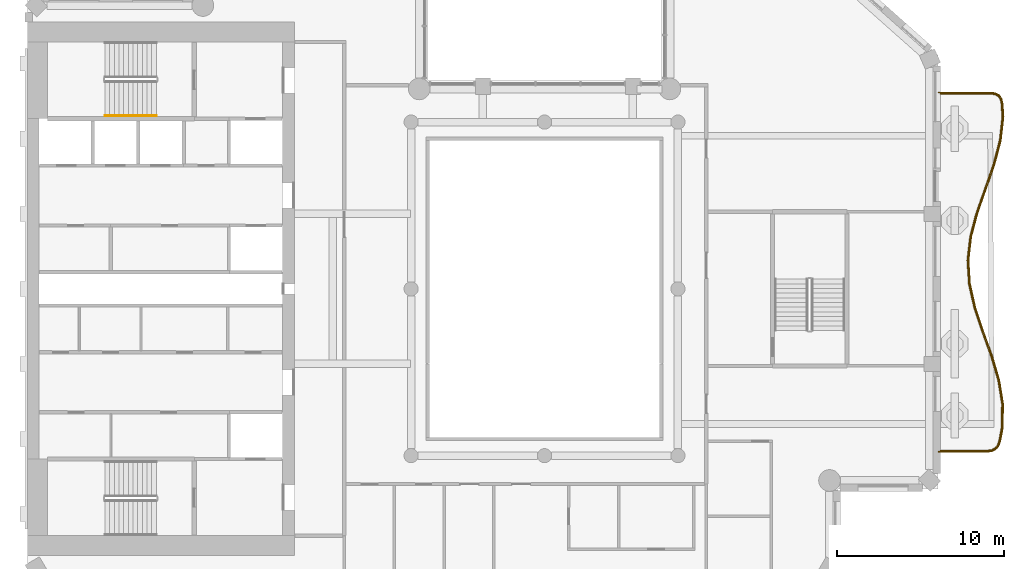
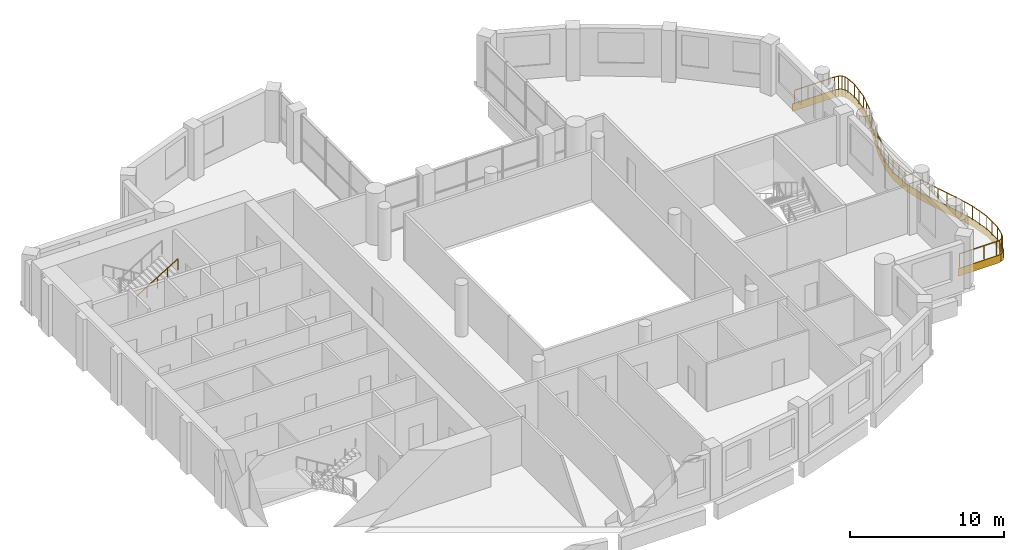
# One storey, part 12 of 14: 2 railings, 1 covering.
"""IFC4 building model written with IfcOpenShell, lengths in metres."""

from ifc_helpers import new_model, si_unit, direction, frame, origin, origin_2d, place, context, subcontext, project, spatial, polyline, rectangle, outline, extrude, material, layer, layer_set, type_object, element, save


model = new_model("IFC4")

# Units and contexts
model_context = context("Model", 3, precision=1e-05, world=origin(), true_north=direction((0.0, 1.0)))
body_context = subcontext(model_context, "Body", "Model", "MODEL_VIEW")
ifc_project = project(units=[si_unit("LENGTHUNIT", "METRE"), si_unit("AREAUNIT", "SQUARE_METRE"), si_unit("VOLUMEUNIT", "CUBIC_METRE"), si_unit("PLANEANGLEUNIT", "RADIAN"), si_unit("MASSUNIT", "GRAM", prefix="KILO")], contexts=[model_context])

# Site, building, storey
site_placement = place(None, origin())
site = spatial("IfcSite", under=ifc_project, at=site_placement, CompositionType="ELEMENT")
building_placement = place(site_placement, origin())
building = spatial("IfcBuilding", under=site, at=building_placement, Name="Cypress Arch Tower", CompositionType="ELEMENT")
storey_placement = place(building_placement, frame((0.0, 0.0, 268.0)))
storey = spatial("IfcBuildingStorey", under=building, at=storey_placement, Name="L60", CompositionType="ELEMENT", Elevation=268.0)

# Covering
ifc_material_1 = material(Name="White powder-coated aluminium fascia", Category="aluminium")
ifc_layer = layer(ifc_material_1, 0.050048828125)
ifc_layer_set = layer_set([ifc_layer], Name="Balcony fascia BF50")
covering_type = type_object("IfcCoveringType", Name="Balcony fascia BF50", PredefinedType="CLADDING", material=ifc_layer_set)
covering_placement = place(storey_placement, frame((0.0, 0.0, -0.60009765625)))
element("IfcCovering", 1, at=covering_placement, inside=storey, type_object=covering_type, Name="Balcony fascia L60-C17", PredefinedType="CLADDING", context=body_context, shape_type="SweptSolid", body=[
    extrude(outline(polyline([(27.7587890625, 11.800048828125), (28.057373046875, 11.7578125), (28.285888671875, 11.626220703125), (28.4326171875, 11.406982421875), (28.49462890625, 11.11181640625), (28.548095703125, 10.3154296875), (28.386474609375, 8.8740234375), (28.0068359375, 7.435302734375), (27.503173828125, 6.0), (26.99951171875, 4.568603515625), (26.61865234375, 3.140625), (26.453125, 1.71533203125), (26.54296875, 0.29052734375), (26.8662109375, -1.136474609375), (27.344970703125, -2.56689453125), (27.8623046875, -4.0009765625), (28.291259765625, -5.438720703125), (28.52587890625, -6.879638671875), (28.507568359375, -8.321533203125), (28.3603515625, -9.117431640625), (28.26318359375, -9.411376953125), (28.091064453125, -9.6279296875), (27.8466796875, -9.758056640625), (27.5400390625, -9.800048828125), (24.60107421875, -9.800048828125), (24.60107421875, -9.75), (27.53662109375, -9.75), (27.8310546875, -9.709716796875), (28.058349609375, -9.5888671875), (28.218505859375, -9.38720703125), (28.311767578125, -9.10498046875), (28.45751953125, -8.316650390625), (28.475830078125, -6.88330078125), (28.242431640625, -5.449951171875), (27.81494140625, -4.0166015625), (27.2978515625, -2.583251953125), (26.818115234375, -1.14990234375), (26.4931640625, 0.283447265625), (26.403076171875, 1.716552734375), (26.5693359375, 3.14990234375), (26.95166015625, 4.583251953125), (27.4560546875, 6.0166015625), (27.958984375, 7.449951171875), (28.337158203125, 8.88330078125), (28.497802734375, 10.316650390625), (28.44482421875, 11.10498046875), (28.385498046875, 11.38720703125), (28.250732421875, 11.5888671875), (28.040771484375, 11.709716796875), (27.755126953125, 11.75), (24.60107421875, 11.75), (24.60107421875, 11.800048828125), (27.7587890625, 11.800048828125)])), origin(), (0.0, 0.0, 1.0), 0.60009765625),
])

# Railings
ifc_material_2 = material(Name="Powder-coated steel posts and rods, 100 mm clear between rods", Category="steel")
railing_type_1 = type_object("IfcRailingType", Name="Balcony guard GR1100", PredefinedType="GUARDRAIL", material=ifc_material_2)
railing_1_placement = place(storey_placement, frame((24.75, 11.699951171875, 0.0)))
element("IfcRailing", 2, at=railing_1_placement, inside=storey, type_object=railing_type_1, Name="Balcony guard L60-C17", PredefinedType="GUARDRAIL", context=body_context, shape_type="SweptSolid", body=[
    extrude(rectangle(XDim=0.050048828125, YDim=0.050048828125, at=origin_2d()), frame((0.0, 0.0, 1.0751953125), z_axis=(1.0, 0.0, 0.0), x_axis=(0.0, 1.0, 0.0)), (0.0, 0.0, 1.0), 3.001708984375),
    extrude(rectangle(XDim=0.050048828125, YDim=0.050048828125, at=origin_2d()), frame((3.001708984375, 0.0, 1.0751953125), z_axis=(0.990248929867, -0.139309213252, 0.0), x_axis=(0.139309213252, 0.990248929867, 0.0)), (0.0, 0.0, 1.0), 0.275146484375),
    extrude(rectangle(XDim=0.050048828125, YDim=0.050048828125, at=origin_2d()), frame((3.274169921875, -0.038330078125, 1.0751953125), z_axis=(0.866607990837, -0.498989569246, 0.0), x_axis=(0.498989569246, 0.866607990837, 0.0)), (0.0, 0.0, 1.0), 0.22119140625),
    extrude(rectangle(XDim=0.050048828125, YDim=0.050048828125, at=origin_2d()), frame((3.4658203125, -0.148681640625, 1.0751953125), z_axis=(0.555464479629, -0.831540264732, 0.0), x_axis=(0.831540264732, 0.555464479629, 0.0)), (0.0, 0.0, 1.0), 0.22119140625),
    extrude(rectangle(XDim=0.050048828125, YDim=0.050048828125, at=origin_2d()), frame((3.588623046875, -0.33251953125, 1.0751953125), z_axis=(0.205831624555, -0.978587421916, 0.0), x_axis=(0.978587421916, 0.205831624555, 0.0)), (0.0, 0.0, 1.0), 0.275146484375),
    extrude(rectangle(XDim=0.050048828125, YDim=0.050048828125, at=origin_2d()), frame((3.645263671875, -0.601806640625, 1.0751953125), z_axis=(0.067119886517, -0.997744917719, 0.0), x_axis=(0.997744917719, 0.067119886517, 0.0)), (0.0, 0.0, 1.0), 0.781982421875),
    extrude(rectangle(XDim=0.050048828125, YDim=0.050048828125, at=origin_2d()), frame((3.69775390625, -1.382080078125, 1.0751953125), z_axis=(-0.111496397554, -0.993764838044, 0.0), x_axis=(0.993764838044, -0.111496397554, 0.0)), (0.0, 0.0, 1.0), 1.434326171875),
    extrude(rectangle(XDim=0.050048828125, YDim=0.050048828125, at=origin_2d()), frame((3.537841796875, -2.807373046875, 1.0751953125), z_axis=(-0.255079131394, -0.966920181156, 0.0), x_axis=(0.966920181156, -0.255079131394, 0.0)), (0.0, 0.0, 1.0), 1.476806640625),
    extrude(rectangle(XDim=0.050048828125, YDim=0.050048828125, at=origin_2d()), frame((3.1611328125, -4.2353515625, 1.0751953125), z_axis=(-0.331060058364, -0.943609685069, 0.0), x_axis=(0.943609685069, -0.331060058364, 0.0)), (0.0, 0.0, 1.0), 1.516845703125),
    extrude(rectangle(XDim=0.050048828125, YDim=0.050048828125, at=origin_2d()), frame((2.658935546875, -5.666748046875, 1.0751953125), z_axis=(-0.332022561936, -0.943271444689, 0.0), x_axis=(0.943271444689, -0.332022561936, 0.0)), (0.0, 0.0, 1.0), 1.521484375),
    extrude(rectangle(XDim=0.050048828125, YDim=0.050048828125, at=origin_2d()), frame((2.15380859375, -7.101806640625, 1.0751953125), z_axis=(-0.257591212214, -0.966253986998, 0.0), x_axis=(0.966253986998, -0.257591212214, 0.0)), (0.0, 0.0, 1.0), 1.489013671875),
    extrude(rectangle(XDim=0.050048828125, YDim=0.050048828125, at=origin_2d()), frame((1.770263671875, -8.54052734375, 1.0751953125), z_axis=(-0.11541592735, -0.993317252299, 0.0), x_axis=(0.993317252299, -0.11541592735, 0.0)), (0.0, 0.0, 1.0), 1.451171875),
    extrude(rectangle(XDim=0.050048828125, YDim=0.050048828125, at=origin_2d()), frame((1.602783203125, -9.98193359375, 1.0751953125), z_axis=(0.062862218752, -0.99802221491, 0.0), x_axis=(0.99802221491, 0.062862218752, 0.0)), (0.0, 0.0, 1.0), 1.44482421875),
    extrude(rectangle(XDim=0.050048828125, YDim=0.050048828125, at=origin_2d()), frame((1.693603515625, -11.423828125, 1.0751953125), z_axis=(0.220956257164, -0.975283718935, 0.0), x_axis=(0.975283718935, 0.220956257164, 0.0)), (0.0, 0.0, 1.0), 1.47607421875),
    extrude(rectangle(XDim=0.050048828125, YDim=0.050048828125, at=origin_2d()), frame((2.019775390625, -12.863525390625, 1.0751953125), z_axis=(0.317388115684, -0.948295726038, 0.0), x_axis=(0.948295726038, 0.317388115684, 0.0)), (0.0, 0.0, 1.0), 1.5146484375),
    extrude(rectangle(XDim=0.050048828125, YDim=0.050048828125, at=origin_2d()), frame((2.50048828125, -14.2998046875, 1.0751953125), z_axis=(0.339412006788, -0.940637810025, 0.0), x_axis=(0.940637810025, 0.339412006788, 0.0)), (0.0, 0.0, 1.0), 1.522705078125),
    extrude(rectangle(XDim=0.050048828125, YDim=0.050048828125, at=origin_2d()), frame((3.017333984375, -15.732177734375, 1.0751953125), z_axis=(0.285860513055, -0.958271238781, 0.0), x_axis=(0.958271238781, 0.285860513055, 0.0)), (0.0, 0.0, 1.0), 1.4912109375),
    extrude(rectangle(XDim=0.050048828125, YDim=0.050048828125, at=origin_2d()), frame((3.443603515625, -17.1611328125, 1.0751953125), z_axis=(0.160725377825, -0.986999165614, 0.0), x_axis=(0.986999165614, 0.160725377825, 0.0)), (0.0, 0.0, 1.0), 1.444580078125),
    extrude(rectangle(XDim=0.050048828125, YDim=0.050048828125, at=origin_2d()), frame((3.67578125, -18.5869140625, 1.0751953125), z_axis=(-0.012678898534, -0.999919619535, 0.0), x_axis=(0.999919619535, -0.012678898534, 0.0)), (0.0, 0.0, 1.0), 1.4248046875),
    extrude(rectangle(XDim=0.050048828125, YDim=0.050048828125, at=origin_2d()), frame((3.65771484375, -20.01171875, 1.0751953125), z_axis=(-0.18202319823, -0.983294236384, 0.0), x_axis=(0.983294236384, -0.18202319823, 0.0)), (0.0, 0.0, 1.0), 0.7939453125),
    extrude(rectangle(XDim=0.050048828125, YDim=0.050048828125, at=origin_2d()), frame((3.51318359375, -20.79248046875, 1.0751953125), z_axis=(-0.313655656789, -0.949536797056, 0.0), x_axis=(0.949536797056, -0.313655656789, 0.0)), (0.0, 0.0, 1.0), 0.284912109375),
    extrude(rectangle(XDim=0.050048828125, YDim=0.050048828125, at=origin_2d()), frame((3.423828125, -21.06298828125, 1.0751953125), z_axis=(-0.622066974814, -0.782964034197, 0.0), x_axis=(0.782964034197, -0.622066974814, 0.0)), (0.0, 0.0, 1.0), 0.23828125),
    extrude(rectangle(XDim=0.050048828125, YDim=0.050048828125, at=origin_2d()), frame((3.275634765625, -21.24951171875, 1.0751953125), z_axis=(-0.882863343579, -0.46962997835, 0.0), x_axis=(0.46962997835, -0.882863343579, 0.0)), (0.0, 0.0, 1.0), 0.238037109375),
    extrude(rectangle(XDim=0.050048828125, YDim=0.050048828125, at=origin_2d()), frame((3.0654296875, -21.361328125, 1.0751953125), z_axis=(-0.99078839666, -0.135419175322, 0.0), x_axis=(0.135419175322, -0.99078839666, 0.0)), (0.0, 0.0, 1.0), 0.284912109375),
    extrude(rectangle(XDim=0.050048828125, YDim=0.050048828125, at=origin_2d()), frame((2.783203125, -21.39990234375, 1.0751953125), z_axis=(-1.0, 0.0, 0.0), x_axis=(0.0, -1.0, 0.0)), (0.0, 0.0, 1.0), 2.783203125),
    extrude(rectangle(XDim=0.0400390625, YDim=0.0400390625, at=origin_2d()), origin(), (0.0, 0.0, 1.0), 1.050048828125),
    extrude(rectangle(XDim=0.0400390625, YDim=0.0400390625, at=origin_2d()), frame((1.00048828125, 0.0, 0.0)), (0.0, 0.0, 1.0), 1.050048828125),
    extrude(rectangle(XDim=0.0400390625, YDim=0.0400390625, at=origin_2d()), frame((2.001220703125, 0.0, 0.0)), (0.0, 0.0, 1.0), 1.050048828125),
    extrude(rectangle(XDim=0.0400390625, YDim=0.0400390625, at=origin_2d()), frame((3.001708984375, 0.0, 0.0)), (0.0, 0.0, 1.0), 1.050048828125),
    extrude(rectangle(XDim=0.0400390625, YDim=0.0400390625, at=origin_2d()), frame((3.274169921875, -0.038330078125, 0.0)), (0.0, 0.0, 1.0), 1.050048828125),
    extrude(rectangle(XDim=0.0400390625, YDim=0.0400390625, at=origin_2d()), frame((3.4658203125, -0.148681640625, 0.0)), (0.0, 0.0, 1.0), 1.050048828125),
    extrude(rectangle(XDim=0.0400390625, YDim=0.0400390625, at=origin_2d()), frame((3.588623046875, -0.33251953125, 0.0)), (0.0, 0.0, 1.0), 1.050048828125),
    extrude(rectangle(XDim=0.0400390625, YDim=0.0400390625, at=origin_2d()), frame((3.645263671875, -0.601806640625, 0.0)), (0.0, 0.0, 1.0), 1.050048828125),
    extrude(rectangle(XDim=0.0400390625, YDim=0.0400390625, at=origin_2d()), frame((3.69775390625, -1.382080078125, 0.0)), (0.0, 0.0, 1.0), 1.050048828125),
    extrude(rectangle(XDim=0.0400390625, YDim=0.0400390625, at=origin_2d()), frame((3.61767578125, -2.0947265625, 0.0)), (0.0, 0.0, 1.0), 1.050048828125),
    extrude(rectangle(XDim=0.0400390625, YDim=0.0400390625, at=origin_2d()), frame((3.537841796875, -2.807373046875, 0.0)), (0.0, 0.0, 1.0), 1.050048828125),
    extrude(rectangle(XDim=0.0400390625, YDim=0.0400390625, at=origin_2d()), frame((3.349609375, -3.521484375, 0.0)), (0.0, 0.0, 1.0), 1.050048828125),
    extrude(rectangle(XDim=0.0400390625, YDim=0.0400390625, at=origin_2d()), frame((3.1611328125, -4.2353515625, 0.0)), (0.0, 0.0, 1.0), 1.050048828125),
    extrude(rectangle(XDim=0.0400390625, YDim=0.0400390625, at=origin_2d()), frame((2.91015625, -4.951171875, 0.0)), (0.0, 0.0, 1.0), 1.050048828125),
    extrude(rectangle(XDim=0.0400390625, YDim=0.0400390625, at=origin_2d()), frame((2.658935546875, -5.666748046875, 0.0)), (0.0, 0.0, 1.0), 1.050048828125),
    extrude(rectangle(XDim=0.0400390625, YDim=0.0400390625, at=origin_2d()), frame((2.40625, -6.38427734375, 0.0)), (0.0, 0.0, 1.0), 1.050048828125),
    extrude(rectangle(XDim=0.0400390625, YDim=0.0400390625, at=origin_2d()), frame((2.15380859375, -7.101806640625, 0.0)), (0.0, 0.0, 1.0), 1.050048828125),
    extrude(rectangle(XDim=0.0400390625, YDim=0.0400390625, at=origin_2d()), frame((1.9619140625, -7.8212890625, 0.0)), (0.0, 0.0, 1.0), 1.050048828125),
    extrude(rectangle(XDim=0.0400390625, YDim=0.0400390625, at=origin_2d()), frame((1.770263671875, -8.54052734375, 0.0)), (0.0, 0.0, 1.0), 1.050048828125),
    extrude(rectangle(XDim=0.0400390625, YDim=0.0400390625, at=origin_2d()), frame((1.6865234375, -9.26123046875, 0.0)), (0.0, 0.0, 1.0), 1.050048828125),
    extrude(rectangle(XDim=0.0400390625, YDim=0.0400390625, at=origin_2d()), frame((1.602783203125, -9.98193359375, 0.0)), (0.0, 0.0, 1.0), 1.050048828125),
    extrude(rectangle(XDim=0.0400390625, YDim=0.0400390625, at=origin_2d()), frame((1.648193359375, -10.702880859375, 0.0)), (0.0, 0.0, 1.0), 1.050048828125),
    extrude(rectangle(XDim=0.0400390625, YDim=0.0400390625, at=origin_2d()), frame((1.693603515625, -11.423828125, 0.0)), (0.0, 0.0, 1.0), 1.050048828125),
    extrude(rectangle(XDim=0.0400390625, YDim=0.0400390625, at=origin_2d()), frame((1.856689453125, -12.1435546875, 0.0)), (0.0, 0.0, 1.0), 1.050048828125),
    extrude(rectangle(XDim=0.0400390625, YDim=0.0400390625, at=origin_2d()), frame((2.019775390625, -12.863525390625, 0.0)), (0.0, 0.0, 1.0), 1.050048828125),
    extrude(rectangle(XDim=0.0400390625, YDim=0.0400390625, at=origin_2d()), frame((2.26025390625, -13.58154296875, 0.0)), (0.0, 0.0, 1.0), 1.050048828125),
    extrude(rectangle(XDim=0.0400390625, YDim=0.0400390625, at=origin_2d()), frame((2.50048828125, -14.2998046875, 0.0)), (0.0, 0.0, 1.0), 1.050048828125),
    extrude(rectangle(XDim=0.0400390625, YDim=0.0400390625, at=origin_2d()), frame((2.7587890625, -15.01611328125, 0.0)), (0.0, 0.0, 1.0), 1.050048828125),
    extrude(rectangle(XDim=0.0400390625, YDim=0.0400390625, at=origin_2d()), frame((3.017333984375, -15.732177734375, 0.0)), (0.0, 0.0, 1.0), 1.050048828125),
    extrude(rectangle(XDim=0.0400390625, YDim=0.0400390625, at=origin_2d()), frame((3.23046875, -16.44677734375, 0.0)), (0.0, 0.0, 1.0), 1.050048828125),
    extrude(rectangle(XDim=0.0400390625, YDim=0.0400390625, at=origin_2d()), frame((3.443603515625, -17.1611328125, 0.0)), (0.0, 0.0, 1.0), 1.050048828125),
    extrude(rectangle(XDim=0.0400390625, YDim=0.0400390625, at=origin_2d()), frame((3.5595703125, -17.8740234375, 0.0)), (0.0, 0.0, 1.0), 1.050048828125),
    extrude(rectangle(XDim=0.0400390625, YDim=0.0400390625, at=origin_2d()), frame((3.67578125, -18.5869140625, 0.0)), (0.0, 0.0, 1.0), 1.050048828125),
    extrude(rectangle(XDim=0.0400390625, YDim=0.0400390625, at=origin_2d()), frame((3.666748046875, -19.29931640625, 0.0)), (0.0, 0.0, 1.0), 1.050048828125),
    extrude(rectangle(XDim=0.0400390625, YDim=0.0400390625, at=origin_2d()), frame((3.65771484375, -20.01171875, 0.0)), (0.0, 0.0, 1.0), 1.050048828125),
    extrude(rectangle(XDim=0.0400390625, YDim=0.0400390625, at=origin_2d()), frame((3.51318359375, -20.79248046875, 0.0)), (0.0, 0.0, 1.0), 1.050048828125),
    extrude(rectangle(XDim=0.0400390625, YDim=0.0400390625, at=origin_2d()), frame((3.423828125, -21.06298828125, 0.0)), (0.0, 0.0, 1.0), 1.050048828125),
    extrude(rectangle(XDim=0.0400390625, YDim=0.0400390625, at=origin_2d()), frame((3.275634765625, -21.24951171875, 0.0)), (0.0, 0.0, 1.0), 1.050048828125),
    extrude(rectangle(XDim=0.0400390625, YDim=0.0400390625, at=origin_2d()), frame((3.0654296875, -21.361328125, 0.0)), (0.0, 0.0, 1.0), 1.050048828125),
    extrude(rectangle(XDim=0.0400390625, YDim=0.0400390625, at=origin_2d()), frame((2.783203125, -21.39990234375, 0.0)), (0.0, 0.0, 1.0), 1.050048828125),
    extrude(rectangle(XDim=0.0400390625, YDim=0.0400390625, at=origin_2d()), frame((1.85546875, -21.39990234375, 0.0)), (0.0, 0.0, 1.0), 1.050048828125),
    extrude(rectangle(XDim=0.0400390625, YDim=0.0400390625, at=origin_2d()), frame((0.927734375, -21.39990234375, 0.0)), (0.0, 0.0, 1.0), 1.050048828125),
    extrude(rectangle(XDim=0.0400390625, YDim=0.0400390625, at=origin_2d()), frame((0.0, -21.39990234375, 0.0)), (0.0, 0.0, 1.0), 1.050048828125),
])
ifc_material_3 = material(Name="Black powder-coated steel square bar 48 mm", Category="steel")
railing_type_2 = type_object("IfcRailingType", Name="Stair handrail HR1", PredefinedType="HANDRAIL", material=ifc_material_3)
railing_2_placement = place(storey_placement, frame((-25.35498046875, 10.375, 2.220947265625)))
element("IfcRailing", 3, at=railing_2_placement, inside=storey, type_object=railing_type_2, Name="L60 B stair handrail 2", PredefinedType="HANDRAIL", context=body_context, shape_type="SweptSolid", body=[
    extrude(rectangle(XDim=0.048095703125, YDim=0.048095703125, at=origin_2d()), frame((0.0, 0.0, 0.8759765625), z_axis=(0.853666305674, 0.0, 0.52082035152), x_axis=(0.0, 1.0, 0.0)), (0.0, 0.0, 1.0), 3.608154296875),
    extrude(rectangle(XDim=0.0419921875, YDim=0.0419921875, at=origin_2d()), origin(), (0.0, 0.0, 1.0), 0.851806640625),
    extrude(rectangle(XDim=0.0419921875, YDim=0.0419921875, at=origin_2d()), frame((0.77001953125, 0.0, 0.4697265625)), (0.0, 0.0, 1.0), 0.851806640625),
    extrude(rectangle(XDim=0.0419921875, YDim=0.0419921875, at=origin_2d()), frame((1.5400390625, 0.0, 0.939453125)), (0.0, 0.0, 1.0), 0.851806640625),
    extrude(rectangle(XDim=0.0419921875, YDim=0.0419921875, at=origin_2d()), frame((2.31005859375, 0.0, 1.409423828125)), (0.0, 0.0, 1.0), 0.851806640625),
    extrude(rectangle(XDim=0.0419921875, YDim=0.0419921875, at=origin_2d()), frame((3.080078125, 0.0, 1.879150390625)), (0.0, 0.0, 1.0), 0.851806640625),
])

save(model, "model.ifc")
